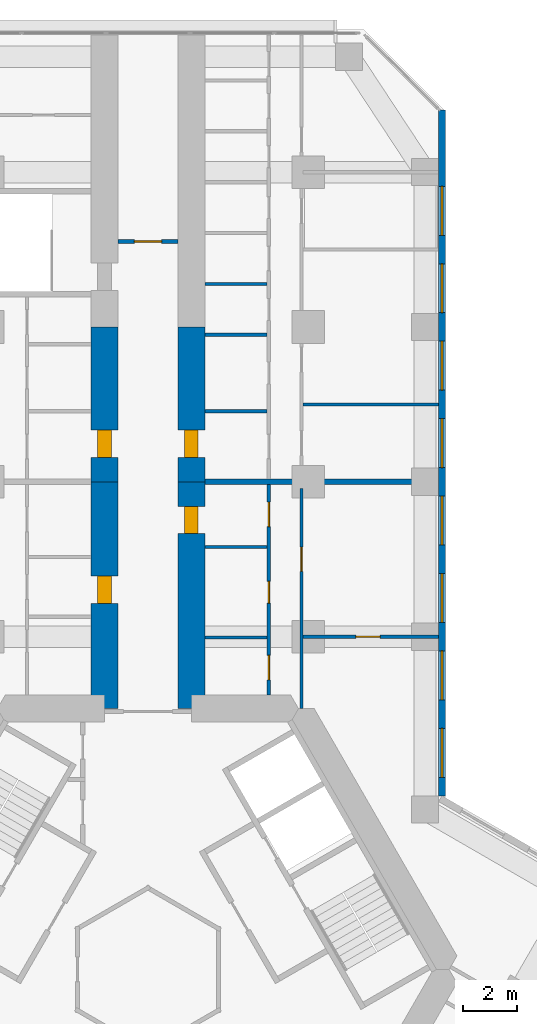
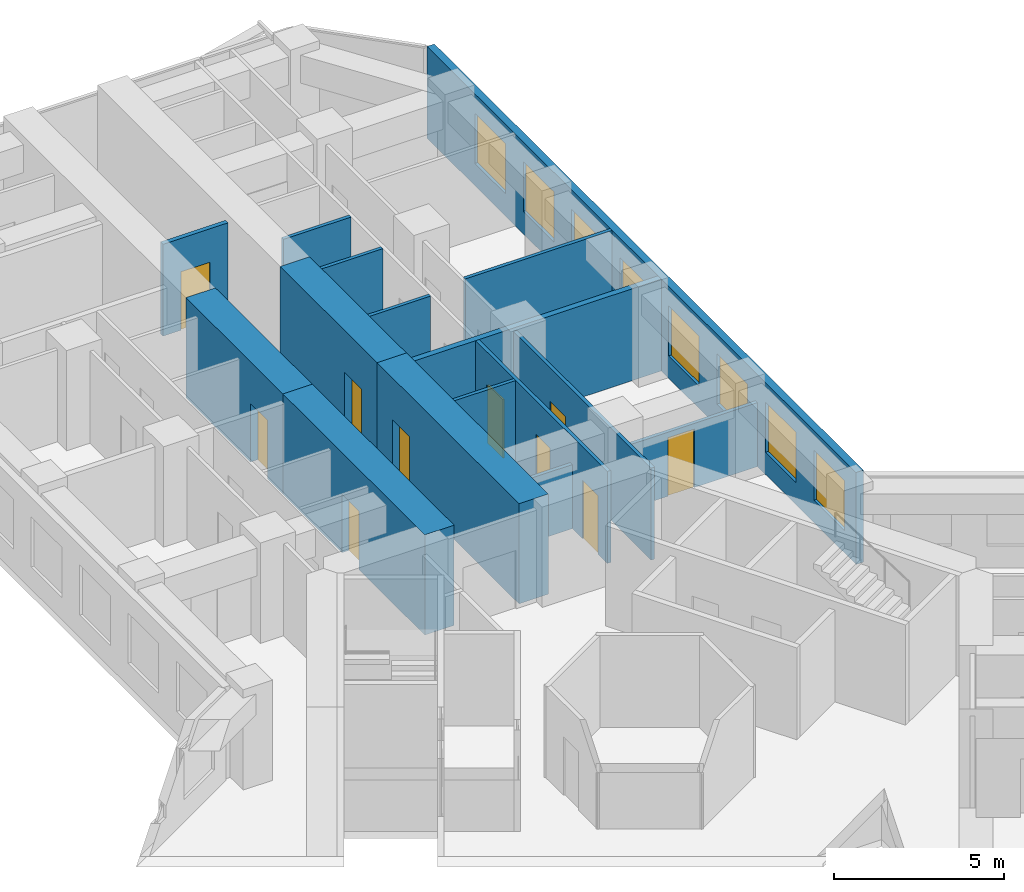
# One storey, part 18 of 21: 16 walls, 10 doors, 8 windows, 18 openings.
"""IFC4 building model written with IfcOpenShell, lengths in metres."""

from ifc_helpers import new_model, si_unit, direction, frame, frame_2d, origin, place, context, subcontext, project, spatial, rectangle, extrude, material, layer, layer_set, type_object, element, fill, save


model = new_model("IFC4")

# Units and contexts
model_context = context("Model", 3, precision=1e-05, world=origin(), true_north=direction((0.0, 1.0)))
body_context = subcontext(model_context, "Body", "Model", "MODEL_VIEW")
ifc_project = project(units=[si_unit("LENGTHUNIT", "METRE"), si_unit("AREAUNIT", "SQUARE_METRE"), si_unit("VOLUMEUNIT", "CUBIC_METRE"), si_unit("PLANEANGLEUNIT", "RADIAN"), si_unit("MASSUNIT", "GRAM", prefix="KILO")], contexts=[model_context])

# Site, building, storey
site_placement = place(None, origin())
site = spatial("IfcSite", under=ifc_project, at=site_placement, CompositionType="ELEMENT")
building_placement = place(site_placement, origin())
building = spatial("IfcBuilding", under=site, at=building_placement, Name="Kosmar Iwan School Tower", CompositionType="ELEMENT")
storey_placement = place(building_placement, frame((0.0, 0.0, 109.60009765625)))
storey = spatial("IfcBuildingStorey", under=building, at=storey_placement, Name="L27", CompositionType="ELEMENT", Elevation=109.60009765625)

# Wall, opening, door
ifc_material_1 = material(Name="Concrete C50/60", Category="concrete")
ifc_layer_1 = layer(ifc_material_1, 1.0)
ifc_layer_set_1 = layer_set([ifc_layer_1], Name="Corridor buttress wall 1000")
wall_type_1 = type_object("IfcWallType", Name="Corridor buttress wall 1000", PredefinedType="SHEAR", material=ifc_layer_set_1)
wall_1_placement = place(storey_placement, frame((-1.60009765625, 9.60009765625, 0.0), z_axis=(0.0, 0.0, 1.0), x_axis=(0.0, 1.0, 0.0)))
wall_1 = element("IfcWall", 1, at=wall_1_placement, inside=storey, type_object=wall_type_1, Name="Corridor wall AL", PredefinedType="SHEAR", context=body_context, shape_type="SweptSolid", body=[
    extrude(rectangle(XDim=8.349853515625, YDim=1.0, at=frame_2d((4.1748046875, 0.0))), origin(), (0.0, 0.0, 1.0), 3.599853515625),
])
opening_1_placement = place(wall_1_placement, frame((3.8798828125, 0.0, 0.0)))
opening_1 = element("IfcOpeningElement", 2, at=opening_1_placement, cuts=wall_1, Name="Opening D1", PredefinedType="OPENING", context=body_context, shape_type="SweptSolid", body=[
    extrude(rectangle(XDim=1.0, YDim=2.10009765625, at=frame_2d((0.5, 1.050048828125))), frame((0.0, 0.511962890625, 0.0), z_axis=(0.0, -1.0, 0.0), x_axis=(1.0, 0.0, 0.0)), (0.0, 0.0, 1.0), 1.02392578125),
])
ifc_material_2 = material(Name="Timber fire door in steel frame", Category="steel")
door_type_1 = type_object("IfcDoorType", Name="Flat entrance door 1000x2100", OperationType="SINGLE_SWING_LEFT", PredefinedType="DOOR", material=ifc_material_2)
door_1_placement = place(opening_1_placement, origin())
door_1 = element("IfcDoor", 3, at=door_1_placement, inside=storey, type_object=door_type_1, Name="Flat L27-AL1 entrance door", OperationType="SINGLE_SWING_LEFT", OverallHeight=2.10009765625, OverallWidth=1.0, PredefinedType="DOOR", context=body_context, shape_type="SweptSolid", body=[
    extrude(rectangle(XDim=1.0, YDim=2.10009765625, at=frame_2d((0.5, 1.050048828125))), frame((0.0, 0.25, 0.0), z_axis=(0.0, -1.0, 0.0), x_axis=(1.0, 0.0, 0.0)), (0.0, 0.0, 1.0), 0.5),
])
fill(opening_1, door_1)

wall_2_placement = place(storey_placement, frame((-1.60009765625, 17.949951171875, 0.0), z_axis=(0.0, 0.0, 1.0), x_axis=(0.0, 1.0, 0.0)))
wall_2 = element("IfcWall", 4, at=wall_2_placement, inside=storey, type_object=wall_type_1, Name="Corridor wall AL bay 2", PredefinedType="SHEAR", context=body_context, shape_type="SweptSolid", body=[
    extrude(rectangle(XDim=5.699951171875, YDim=1.0, at=frame_2d((2.85009765625, 0.0))), origin(), (0.0, 0.0, 1.0), 3.599853515625),
])
opening_2_placement = place(wall_2_placement, frame((0.89990234375, 0.0, 0.0)))
opening_2 = element("IfcOpeningElement", 5, at=opening_2_placement, cuts=wall_2, Name="Opening D1", PredefinedType="OPENING", context=body_context, shape_type="SweptSolid", body=[
    extrude(rectangle(XDim=1.0, YDim=2.10009765625, at=frame_2d((0.5, 1.050048828125))), frame((0.0, 0.511962890625, 0.0), z_axis=(0.0, -1.0, 0.0), x_axis=(1.0, 0.0, 0.0)), (0.0, 0.0, 1.0), 1.02392578125),
])
door_2_placement = place(opening_2_placement, origin())
door_2 = element("IfcDoor", 6, at=door_2_placement, inside=storey, type_object=door_type_1, Name="Flat L27-AL2 entrance door", OperationType="SINGLE_SWING_RIGHT", OverallHeight=2.10009765625, OverallWidth=1.0, PredefinedType="DOOR", context=body_context, shape_type="SweptSolid", body=[
    extrude(rectangle(XDim=1.0, YDim=2.10009765625, at=frame_2d((0.5, 1.050048828125))), frame((0.0, 0.25, 0.0), z_axis=(0.0, -1.0, 0.0), x_axis=(1.0, 0.0, 0.0)), (0.0, 0.0, 1.0), 0.5),
])
fill(opening_2, door_2)

wall_3_placement = place(storey_placement, frame((1.60009765625, 9.60009765625, 0.0), z_axis=(0.0, 0.0, 1.0), x_axis=(0.0, 1.0, 0.0)))
wall_3 = element("IfcWall", 7, at=wall_3_placement, inside=storey, type_object=wall_type_1, Name="Corridor wall AR", PredefinedType="SHEAR", context=body_context, shape_type="SweptSolid", body=[
    extrude(rectangle(XDim=8.349853515625, YDim=1.0, at=frame_2d((4.1748046875, 0.0))), origin(), (0.0, 0.0, 1.0), 3.599853515625),
])
opening_3_placement = place(wall_3_placement, frame((6.449951171875, 0.0, 0.0)))
opening_3 = element("IfcOpeningElement", 8, at=opening_3_placement, cuts=wall_3, Name="Opening D1", PredefinedType="OPENING", context=body_context, shape_type="SweptSolid", body=[
    extrude(rectangle(XDim=1.0, YDim=2.10009765625, at=frame_2d((0.5, 1.050048828125))), frame((0.0, 0.511962890625, 0.0), z_axis=(0.0, -1.0, 0.0), x_axis=(1.0, 0.0, 0.0)), (0.0, 0.0, 1.0), 1.02392578125),
])
door_3_placement = place(opening_3_placement, origin())
door_3 = element("IfcDoor", 9, at=door_3_placement, inside=storey, type_object=door_type_1, Name="Flat L27-AR1 entrance door", OperationType="SINGLE_SWING_RIGHT", OverallHeight=2.10009765625, OverallWidth=1.0, PredefinedType="DOOR", context=body_context, shape_type="SweptSolid", body=[
    extrude(rectangle(XDim=1.0, YDim=2.10009765625, at=frame_2d((0.5, 1.050048828125))), frame((0.0, 0.25, 0.0), z_axis=(0.0, -1.0, 0.0), x_axis=(1.0, 0.0, 0.0)), (0.0, 0.0, 1.0), 0.5),
])
fill(opening_3, door_3)

wall_4_placement = place(storey_placement, frame((1.60009765625, 17.949951171875, 0.0), z_axis=(0.0, 0.0, 1.0), x_axis=(0.0, 1.0, 0.0)))
wall_4 = element("IfcWall", 10, at=wall_4_placement, inside=storey, type_object=wall_type_1, Name="Corridor wall AR bay 2", PredefinedType="SHEAR", context=body_context, shape_type="SweptSolid", body=[
    extrude(rectangle(XDim=5.699951171875, YDim=1.0, at=frame_2d((2.85009765625, 0.0))), origin(), (0.0, 0.0, 1.0), 3.599853515625),
])
opening_4_placement = place(wall_4_placement, frame((0.89990234375, 0.0, 0.0)))
opening_4 = element("IfcOpeningElement", 11, at=opening_4_placement, cuts=wall_4, Name="Opening D1", PredefinedType="OPENING", context=body_context, shape_type="SweptSolid", body=[
    extrude(rectangle(XDim=1.0, YDim=2.10009765625, at=frame_2d((0.5, 1.050048828125))), frame((0.0, 0.511962890625, 0.0), z_axis=(0.0, -1.0, 0.0), x_axis=(1.0, 0.0, 0.0)), (0.0, 0.0, 1.0), 1.02392578125),
])
door_4_placement = place(opening_4_placement, origin())
door_4 = element("IfcDoor", 12, at=door_4_placement, inside=storey, type_object=door_type_1, Name="Flat L27-AR2 entrance door", OperationType="SINGLE_SWING_LEFT", OverallHeight=2.10009765625, OverallWidth=1.0, PredefinedType="DOOR", context=body_context, shape_type="SweptSolid", body=[
    extrude(rectangle(XDim=1.0, YDim=2.10009765625, at=frame_2d((0.5, 1.050048828125))), frame((0.0, 0.25, 0.0), z_axis=(0.0, -1.0, 0.0), x_axis=(1.0, 0.0, 0.0)), (0.0, 0.0, 1.0), 0.5),
])
fill(opening_4, door_4)

ifc_material_3 = material(Name="Gypsum board on steel studs, fire-rated", Category="steel")
ifc_layer_2 = layer(ifc_material_3, 0.14990234375)
ifc_layer_set_2 = layer_set([ifc_layer_2], Name="Corridor end wall 150")
wall_type_2 = type_object("IfcWallType", Name="Corridor end wall 150", PredefinedType="PARTITIONING", material=ifc_layer_set_2)
wall_5_placement = place(storey_placement, frame((1.10009765625, 26.800048828125, 0.0), z_axis=(0.0, 0.0, 1.0), x_axis=(-1.0, 0.0, 0.0)))
wall_5 = element("IfcWall", 13, at=wall_5_placement, inside=storey, type_object=wall_type_2, Name="Partition L27-A-CE", PredefinedType="PARTITIONING", context=body_context, shape_type="SweptSolid", body=[
    extrude(rectangle(XDim=2.2001953125, YDim=0.14990234375, at=frame_2d((1.10009765625, 0.0))), origin(), (0.0, 0.0, 1.0), 3.2998046875),
])
opening_5_placement = place(wall_5_placement, frame((0.60009765625, 0.0, 0.0)))
opening_5 = element("IfcOpeningElement", 14, at=opening_5_placement, cuts=wall_5, Name="Opening D13", PredefinedType="OPENING", context=body_context, shape_type="SweptSolid", body=[
    extrude(rectangle(XDim=1.0, YDim=2.10009765625, at=frame_2d((0.5, 1.050048828125))), frame((0.0, 0.0869140625, 0.0), z_axis=(0.0, -1.0, 0.0), x_axis=(1.0, 0.0, 0.0)), (0.0, 0.0, 1.0), 0.173828125),
])
ifc_material_4 = material(Name="Timber fire door with vision panel", Category="wood")
door_type_2 = type_object("IfcDoorType", Name="Corridor end door 1000x2100", OperationType="SINGLE_SWING_LEFT", PredefinedType="DOOR", material=ifc_material_4)
door_5_placement = place(opening_5_placement, origin())
door_5 = element("IfcDoor", 15, at=door_5_placement, inside=storey, type_object=door_type_2, Name="Laundry and drying room door L27-A", OperationType="SINGLE_SWING_LEFT", OverallHeight=2.10009765625, OverallWidth=1.0, PredefinedType="DOOR", context=body_context, shape_type="SweptSolid", body=[
    extrude(rectangle(XDim=1.0, YDim=2.10009765625, at=frame_2d((0.5, 1.050048828125))), frame((0.0, 0.02490234375, 0.0), z_axis=(0.0, -1.0, 0.0), x_axis=(1.0, 0.0, 0.0)), (0.0, 0.0, 1.0), 0.050048828125),
])
fill(opening_5, door_5)

# Wall, openings, doors
ifc_material_5 = material(Name="Gypsum board on steel studs", Category="steel")
ifc_layer_3 = layer(ifc_material_5, 0.1201171875)
ifc_layer_set_3 = layer_set([ifc_layer_3], Name="Dwelling partition 120")
wall_type_3 = type_object("IfcWallType", Name="Dwelling partition 120", PredefinedType="PARTITIONING", material=ifc_layer_set_3)
wall_6_placement = place(storey_placement, frame((4.449951171875, 10.10009765625, 0.0), z_axis=(0.0, 0.0, 1.0), x_axis=(0.0, 1.0, 0.0)))
wall_6 = element("IfcWall", 16, at=wall_6_placement, inside=storey, type_object=wall_type_3, Name="Partition L27-AR1-W1", PredefinedType="PARTITIONING", context=body_context, shape_type="SweptSolid", body=[
    extrude(rectangle(XDim=7.75, YDim=0.1201171875, at=frame_2d((3.875, 0.0))), origin(), (0.0, 0.0, 1.0), 3.2998046875),
])
opening_6_placement = place(wall_6_placement, frame((0.56005859375, 0.0, 0.0)))
opening_6 = element("IfcOpeningElement", 17, at=opening_6_placement, cuts=wall_6, Name="Opening D2", PredefinedType="OPENING", context=body_context, shape_type="SweptSolid", body=[
    extrude(rectangle(XDim=0.89990234375, YDim=2.10009765625, at=frame_2d((0.449951171875, 1.050048828125))), frame((0.0, 0.072021484375, 0.0), z_axis=(0.0, -1.0, 0.0), x_axis=(1.0, 0.0, 0.0)), (0.0, 0.0, 1.0), 0.14404296875),
])
opening_7_placement = place(wall_6_placement, frame((3.385009765625, 0.0, 0.0)))
opening_7 = element("IfcOpeningElement", 18, at=opening_7_placement, cuts=wall_6, Name="Opening D3", PredefinedType="OPENING", context=body_context, shape_type="SweptSolid", body=[
    extrude(rectangle(XDim=0.800048828125, YDim=2.10009765625, at=frame_2d((0.39990234375, 1.050048828125))), frame((0.0, 0.072021484375, 0.0), z_axis=(0.0, -1.0, 0.0), x_axis=(1.0, 0.0, 0.0)), (0.0, 0.0, 1.0), 0.14404296875),
])
opening_8_placement = place(wall_6_placement, frame((6.199951171875, 0.0, 0.0)))
opening_8 = element("IfcOpeningElement", 19, at=opening_8_placement, cuts=wall_6, Name="Opening D2", PredefinedType="OPENING", context=body_context, shape_type="SweptSolid", body=[
    extrude(rectangle(XDim=0.89990234375, YDim=2.10009765625, at=frame_2d((0.449951171875, 1.050048828125))), frame((0.0, 0.072021484375, 0.0), z_axis=(0.0, -1.0, 0.0), x_axis=(1.0, 0.0, 0.0)), (0.0, 0.0, 1.0), 0.14404296875),
])
ifc_material_6 = material(Name="Timber door in timber frame", Category="wood")
door_type_3 = type_object("IfcDoorType", Name="Internal door 900x2100", OperationType="SINGLE_SWING_LEFT", PredefinedType="DOOR", material=ifc_material_6)
door_6_placement = place(opening_6_placement, origin())
door_6 = element("IfcDoor", 20, at=door_6_placement, inside=storey, type_object=door_type_3, Name="Pantry door L27-AR1-S1", OperationType="SINGLE_SWING_LEFT", OverallHeight=2.10009765625, OverallWidth=0.89990234375, PredefinedType="DOOR", context=body_context, shape_type="SweptSolid", body=[
    extrude(rectangle(XDim=0.89990234375, YDim=2.10009765625, at=frame_2d((0.449951171875, 1.050048828125))), frame((0.0, 0.02490234375, 0.0), z_axis=(0.0, -1.0, 0.0), x_axis=(1.0, 0.0, 0.0)), (0.0, 0.0, 1.0), 0.050048828125),
])
fill(opening_6, door_6)
door_7_placement = place(opening_8_placement, origin())
door_7 = element("IfcDoor", 21, at=door_7_placement, inside=storey, type_object=door_type_3, Name="Entrance hall door L27-AR1-S3", OperationType="SINGLE_SWING_RIGHT", OverallHeight=2.10009765625, OverallWidth=0.89990234375, PredefinedType="DOOR", context=body_context, shape_type="SweptSolid", body=[
    extrude(rectangle(XDim=0.89990234375, YDim=2.10009765625, at=frame_2d((0.449951171875, 1.050048828125))), frame((0.0, 0.02490234375, 0.0), z_axis=(0.0, -1.0, 0.0), x_axis=(1.0, 0.0, 0.0)), (0.0, 0.0, 1.0), 0.050048828125),
])
fill(opening_8, door_7)
ifc_material_7 = material(Name="Timber door in timber frame", Category="wood")
door_type_4 = type_object("IfcDoorType", Name="Sanitary room door 800x2100", OperationType="SINGLE_SWING_LEFT", PredefinedType="DOOR", material=ifc_material_7)
door_8_placement = place(opening_7_placement, origin())
door_8 = element("IfcDoor", 22, at=door_8_placement, inside=storey, type_object=door_type_4, Name="Bathroom door L27-AR1-S2", OperationType="SINGLE_SWING_RIGHT", OverallHeight=2.10009765625, OverallWidth=0.800048828125, PredefinedType="DOOR", context=body_context, shape_type="SweptSolid", body=[
    extrude(rectangle(XDim=0.800048828125, YDim=2.10009765625, at=frame_2d((0.39990234375, 1.050048828125))), frame((0.0, 0.02490234375, 0.0), z_axis=(0.0, -1.0, 0.0), x_axis=(1.0, 0.0, 0.0)), (0.0, 0.0, 1.0), 0.050048828125),
])
fill(opening_7, door_8)

# Wall, opening, door
wall_7_placement = place(storey_placement, frame((5.64990234375, 9.60009765625, 0.0), z_axis=(0.0, 0.0, 1.0), x_axis=(0.0, 1.0, 0.0)))
wall_7 = element("IfcWall", 23, at=wall_7_placement, inside=storey, type_object=wall_type_3, Name="Partition L27-AR1-W2", PredefinedType="PARTITIONING", context=body_context, shape_type="SweptSolid", body=[
    extrude(rectangle(XDim=8.099853515625, YDim=0.1201171875, at=frame_2d((4.0498046875, 0.0))), origin(), (0.0, 0.0, 1.0), 3.2998046875),
])
opening_9_placement = place(wall_7_placement, frame((5.050048828125, 0.0, 0.0)))
opening_9 = element("IfcOpeningElement", 24, at=opening_9_placement, cuts=wall_7, Name="Opening D2", PredefinedType="OPENING", context=body_context, shape_type="SweptSolid", body=[
    extrude(rectangle(XDim=0.89990234375, YDim=2.10009765625, at=frame_2d((0.449951171875, 1.050048828125))), frame((0.0, 0.072021484375, 0.0), z_axis=(0.0, -1.0, 0.0), x_axis=(1.0, 0.0, 0.0)), (0.0, 0.0, 1.0), 0.14404296875),
])
door_9_placement = place(opening_9_placement, origin())
door_9 = element("IfcDoor", 25, at=door_9_placement, inside=storey, type_object=door_type_3, Name="Studio living room door L27-AR1-F2", OperationType="SINGLE_SWING_RIGHT", OverallHeight=2.10009765625, OverallWidth=0.89990234375, PredefinedType="DOOR", context=body_context, shape_type="SweptSolid", body=[
    extrude(rectangle(XDim=0.89990234375, YDim=2.10009765625, at=frame_2d((0.449951171875, 1.050048828125))), frame((0.0, 0.02490234375, 0.0), z_axis=(0.0, -1.0, 0.0), x_axis=(1.0, 0.0, 0.0)), (0.0, 0.0, 1.0), 0.050048828125),
])
fill(opening_9, door_9)

wall_8_placement = place(storey_placement, frame((5.7099609375, 12.25, 0.0), z_axis=(0.0, 0.0, 1.0), x_axis=(1.0, 0.0, 0.0)))
wall_8 = element("IfcWall", 26, at=wall_8_placement, inside=storey, type_object=wall_type_3, Name="Partition L27-AR1-X1", PredefinedType="PARTITIONING", context=body_context, shape_type="SweptSolid", body=[
    extrude(rectangle(XDim=4.989990234375, YDim=0.1201171875, at=frame_2d((2.4951171875, 0.0))), origin(), (0.0, 0.0, 1.0), 2.2998046875),
])
opening_10_placement = place(wall_8_placement, frame((1.93994140625, 0.0, 0.0)))
opening_10 = element("IfcOpeningElement", 27, at=opening_10_placement, cuts=wall_8, Name="Opening D2", PredefinedType="OPENING", context=body_context, shape_type="SweptSolid", body=[
    extrude(rectangle(XDim=0.89990234375, YDim=2.10009765625, at=frame_2d((0.449951171875, 1.050048828125))), frame((0.0, 0.072021484375, 0.0), z_axis=(0.0, -1.0, 0.0), x_axis=(1.0, 0.0, 0.0)), (0.0, 0.0, 1.0), 0.14404296875),
])
door_10_placement = place(opening_10_placement, origin())
door_10 = element("IfcDoor", 28, at=door_10_placement, inside=storey, type_object=door_type_3, Name="Kitchen and dining room door L27-AR1-F1", OperationType="SINGLE_SWING_LEFT", OverallHeight=2.10009765625, OverallWidth=0.89990234375, PredefinedType="DOOR", context=body_context, shape_type="SweptSolid", body=[
    extrude(rectangle(XDim=0.89990234375, YDim=2.10009765625, at=frame_2d((0.449951171875, 1.050048828125))), frame((0.0, 0.02490234375, 0.0), z_axis=(0.0, -1.0, 0.0), x_axis=(1.0, 0.0, 0.0)), (0.0, 0.0, 1.0), 0.050048828125),
])
fill(opening_10, door_10)

# Walls
wall_9_placement = place(storey_placement, frame((2.10009765625, 12.219970703125, 0.0), z_axis=(0.0, 0.0, 1.0), x_axis=(1.0, 0.0, 0.0)))
element("IfcWall", 29, at=wall_9_placement, inside=storey, type_object=wall_type_3, Name="Partition L27-AR1-Y1", PredefinedType="PARTITIONING", context=body_context, shape_type="SweptSolid", body=[
    extrude(rectangle(XDim=2.289794921875, YDim=0.1201171875, at=frame_2d((1.14501953125, 0.0))), origin(), (0.0, 0.0, 1.0), 2.2998046875),
])
wall_10_placement = place(storey_placement, frame((2.10009765625, 15.550048828125, 0.0), z_axis=(0.0, 0.0, 1.0), x_axis=(1.0, 0.0, 0.0)))
element("IfcWall", 30, at=wall_10_placement, inside=storey, type_object=wall_type_3, Name="Partition L27-AR1-Y2", PredefinedType="PARTITIONING", context=body_context, shape_type="SweptSolid", body=[
    extrude(rectangle(XDim=2.289794921875, YDim=0.1201171875, at=frame_2d((1.14501953125, 0.0))), origin(), (0.0, 0.0, 1.0), 3.2998046875),
])
wall_11_placement = place(storey_placement, frame((5.7099609375, 20.800048828125, 0.0), z_axis=(0.0, 0.0, 1.0), x_axis=(1.0, 0.0, 0.0)))
element("IfcWall", 31, at=wall_11_placement, inside=storey, type_object=wall_type_3, Name="Partition L27-AR2-X1", PredefinedType="PARTITIONING", context=body_context, shape_type="SweptSolid", body=[
    extrude(rectangle(XDim=4.989990234375, YDim=0.1201171875, at=frame_2d((2.4951171875, 0.0))), origin(), (0.0, 0.0, 1.0), 3.2998046875),
])
for number, where, z_axis, x_axis, name in (
    (32, (2.10009765625, 20.550048828125, 0.0), (0.0, 0.0, 1.0), (1.0, 0.0, 0.0), "Partition L27-AR2-Y1"),
    (33, (2.10009765625, 23.360107421875, 0.0), (0.0, 0.0, 1.0), (1.0, 0.0, 0.0), "Partition L27-AR2-Y2"),
    (34, (2.10009765625, 25.2333984375, 0.0), (0.0, 0.0, 1.0), (1.0, 0.0, 0.0), "Partition L27-AR2-Y3"),
):
    element("IfcWall", number, at=place(storey_placement, frame(where, z_axis=z_axis, x_axis=x_axis)), inside=storey, type_object=wall_type_3, Name=name, PredefinedType="PARTITIONING", context=body_context, shape_type="SweptSolid", body=[
        extrude(rectangle(XDim=2.289794921875, YDim=0.1201171875, at=frame_2d((1.14501953125, 0.0))), origin(), (0.0, 0.0, 1.0), 3.2998046875),
    ])

# Wall, openings, windows
ifc_material_8 = material(Name="Black aluminium rainscreen on insulated framing", Category="aluminium")
ifc_layer_4 = layer(ifc_material_8, 0.25)
ifc_layer_set_4 = layer_set([ifc_layer_4], Name="External wall rainscreen 250")
wall_type_4 = type_object("IfcWallType", Name="External wall rainscreen 250", PredefinedType="SOLIDWALL", material=ifc_layer_set_4)
wall_12_placement = place(storey_placement, frame((10.824951171875, 6.39404296875, 0.0), z_axis=(0.0, 0.0, 1.0), x_axis=(0.0, 1.0, 0.0)))
wall_12 = element("IfcWall", 35, at=wall_12_placement, inside=storey, type_object=wall_type_4, Name="External wall AR L27", PredefinedType="SOLIDWALL", context=body_context, shape_type="SweptSolid", body=[
    extrude(rectangle(XDim=25.2412109375, YDim=0.25, at=frame_2d((12.62060546875, 0.0))), origin(), (0.0, 0.0, 1.0), 3.2998046875),
])
opening_11_placement = place(wall_12_placement, frame((0.680908203125, 0.0, 0.800048828125)))
opening_11 = element("IfcOpeningElement", 36, at=opening_11_placement, cuts=wall_12, Name="Opening W1", PredefinedType="OPENING", context=body_context, shape_type="SweptSolid", body=[
    extrude(rectangle(XDim=1.800048828125, YDim=1.800048828125, at=frame_2d((0.89990234375, 0.89990234375))), frame((0.0, 0.136962890625, 0.0), z_axis=(0.0, -1.0, 0.0), x_axis=(1.0, 0.0, 0.0)), (0.0, 0.0, 1.0), 0.27392578125),
])
opening_12_placement = place(wall_12_placement, frame((3.53076171875, 0.0, 0.800048828125)))
opening_12 = element("IfcOpeningElement", 37, at=opening_12_placement, cuts=wall_12, Name="Opening W1", PredefinedType="OPENING", context=body_context, shape_type="SweptSolid", body=[
    extrude(rectangle(XDim=1.800048828125, YDim=1.800048828125, at=frame_2d((0.89990234375, 0.89990234375))), frame((0.0, 0.136962890625, 0.0), z_axis=(0.0, -1.0, 0.0), x_axis=(1.0, 0.0, 0.0)), (0.0, 0.0, 1.0), 0.27392578125),
])
opening_13_placement = place(wall_12_placement, frame((6.380859375, 0.0, 0.800048828125)))
opening_13 = element("IfcOpeningElement", 38, at=opening_13_placement, cuts=wall_12, Name="Opening W1", PredefinedType="OPENING", context=body_context, shape_type="SweptSolid", body=[
    extrude(rectangle(XDim=1.800048828125, YDim=1.800048828125, at=frame_2d((0.89990234375, 0.89990234375))), frame((0.0, 0.136962890625, 0.0), z_axis=(0.0, -1.0, 0.0), x_axis=(1.0, 0.0, 0.0)), (0.0, 0.0, 1.0), 0.27392578125),
])
opening_14_placement = place(wall_12_placement, frame((9.23095703125, 0.0, 0.800048828125)))
opening_14 = element("IfcOpeningElement", 39, at=opening_14_placement, cuts=wall_12, Name="Opening W1", PredefinedType="OPENING", context=body_context, shape_type="SweptSolid", body=[
    extrude(rectangle(XDim=1.800048828125, YDim=1.800048828125, at=frame_2d((0.89990234375, 0.89990234375))), frame((0.0, 0.136962890625, 0.0), z_axis=(0.0, -1.0, 0.0), x_axis=(1.0, 0.0, 0.0)), (0.0, 0.0, 1.0), 0.27392578125),
])
opening_15_placement = place(wall_12_placement, frame((12.080810546875, 0.0, 0.800048828125)))
opening_15 = element("IfcOpeningElement", 40, at=opening_15_placement, cuts=wall_12, Name="Opening W1", PredefinedType="OPENING", context=body_context, shape_type="SweptSolid", body=[
    extrude(rectangle(XDim=1.800048828125, YDim=1.800048828125, at=frame_2d((0.89990234375, 0.89990234375))), frame((0.0, 0.136962890625, 0.0), z_axis=(0.0, -1.0, 0.0), x_axis=(1.0, 0.0, 0.0)), (0.0, 0.0, 1.0), 0.27392578125),
])
opening_16_placement = place(wall_12_placement, frame((14.930908203125, 0.0, 0.800048828125)))
opening_16 = element("IfcOpeningElement", 41, at=opening_16_placement, cuts=wall_12, Name="Opening W1", PredefinedType="OPENING", context=body_context, shape_type="SweptSolid", body=[
    extrude(rectangle(XDim=1.800048828125, YDim=1.800048828125, at=frame_2d((0.89990234375, 0.89990234375))), frame((0.0, 0.136962890625, 0.0), z_axis=(0.0, -1.0, 0.0), x_axis=(1.0, 0.0, 0.0)), (0.0, 0.0, 1.0), 0.27392578125),
])
opening_17_placement = place(wall_12_placement, frame((17.78076171875, 0.0, 0.800048828125)))
opening_17 = element("IfcOpeningElement", 42, at=opening_17_placement, cuts=wall_12, Name="Opening W1", PredefinedType="OPENING", context=body_context, shape_type="SweptSolid", body=[
    extrude(rectangle(XDim=1.800048828125, YDim=1.800048828125, at=frame_2d((0.89990234375, 0.89990234375))), frame((0.0, 0.136962890625, 0.0), z_axis=(0.0, -1.0, 0.0), x_axis=(1.0, 0.0, 0.0)), (0.0, 0.0, 1.0), 0.27392578125),
])
opening_18_placement = place(wall_12_placement, frame((20.630859375, 0.0, 0.800048828125)))
opening_18 = element("IfcOpeningElement", 43, at=opening_18_placement, cuts=wall_12, Name="Opening W1", PredefinedType="OPENING", context=body_context, shape_type="SweptSolid", body=[
    extrude(rectangle(XDim=1.800048828125, YDim=1.800048828125, at=frame_2d((0.89990234375, 0.89990234375))), frame((0.0, 0.136962890625, 0.0), z_axis=(0.0, -1.0, 0.0), x_axis=(1.0, 0.0, 0.0)), (0.0, 0.0, 1.0), 0.27392578125),
])
ifc_material_9 = material(Name="Black aluminium frame with dark triple glazing", Category="aluminium")
window_type = type_object("IfcWindowType", Name="Window 1800x1800", PartitioningType="SINGLE_PANEL", PredefinedType="WINDOW", material=ifc_material_9)
window_1_placement = place(opening_11_placement, origin())
window_1 = element("IfcWindow", 44, at=window_1_placement, inside=storey, type_object=window_type, Name="Window AR L27 -1", OverallHeight=1.800048828125, OverallWidth=1.800048828125, PartitioningType="SINGLE_PANEL", PredefinedType="WINDOW", context=body_context, shape_type="SweptSolid", body=[
    extrude(rectangle(XDim=1.800048828125, YDim=1.800048828125, at=frame_2d((0.89990234375, 0.89990234375))), frame((0.0, 0.030029296875, 0.0), z_axis=(0.0, -1.0, 0.0), x_axis=(1.0, 0.0, 0.0)), (0.0, 0.0, 1.0), 0.06005859375),
])
fill(opening_11, window_1)
window_2_placement = place(opening_12_placement, origin())
window_2 = element("IfcWindow", 45, at=window_2_placement, inside=storey, type_object=window_type, Name="Window AR L27 0", OverallHeight=1.800048828125, OverallWidth=1.800048828125, PartitioningType="SINGLE_PANEL", PredefinedType="WINDOW", context=body_context, shape_type="SweptSolid", body=[
    extrude(rectangle(XDim=1.800048828125, YDim=1.800048828125, at=frame_2d((0.89990234375, 0.89990234375))), frame((0.0, 0.030029296875, 0.0), z_axis=(0.0, -1.0, 0.0), x_axis=(1.0, 0.0, 0.0)), (0.0, 0.0, 1.0), 0.06005859375),
])
fill(opening_12, window_2)
window_3_placement = place(opening_13_placement, origin())
window_3 = element("IfcWindow", 46, at=window_3_placement, inside=storey, type_object=window_type, Name="Window AR L27 1", OverallHeight=1.800048828125, OverallWidth=1.800048828125, PartitioningType="SINGLE_PANEL", PredefinedType="WINDOW", context=body_context, shape_type="SweptSolid", body=[
    extrude(rectangle(XDim=1.800048828125, YDim=1.800048828125, at=frame_2d((0.89990234375, 0.89990234375))), frame((0.0, 0.030029296875, 0.0), z_axis=(0.0, -1.0, 0.0), x_axis=(1.0, 0.0, 0.0)), (0.0, 0.0, 1.0), 0.06005859375),
])
fill(opening_13, window_3)
window_4_placement = place(opening_14_placement, origin())
window_4 = element("IfcWindow", 47, at=window_4_placement, inside=storey, type_object=window_type, Name="Window AR L27 2", OverallHeight=1.800048828125, OverallWidth=1.800048828125, PartitioningType="SINGLE_PANEL", PredefinedType="WINDOW", context=body_context, shape_type="SweptSolid", body=[
    extrude(rectangle(XDim=1.800048828125, YDim=1.800048828125, at=frame_2d((0.89990234375, 0.89990234375))), frame((0.0, 0.030029296875, 0.0), z_axis=(0.0, -1.0, 0.0), x_axis=(1.0, 0.0, 0.0)), (0.0, 0.0, 1.0), 0.06005859375),
])
fill(opening_14, window_4)
window_5_placement = place(opening_15_placement, origin())
window_5 = element("IfcWindow", 48, at=window_5_placement, inside=storey, type_object=window_type, Name="Window AR L27 3", OverallHeight=1.800048828125, OverallWidth=1.800048828125, PartitioningType="SINGLE_PANEL", PredefinedType="WINDOW", context=body_context, shape_type="SweptSolid", body=[
    extrude(rectangle(XDim=1.800048828125, YDim=1.800048828125, at=frame_2d((0.89990234375, 0.89990234375))), frame((0.0, 0.030029296875, 0.0), z_axis=(0.0, -1.0, 0.0), x_axis=(1.0, 0.0, 0.0)), (0.0, 0.0, 1.0), 0.06005859375),
])
fill(opening_15, window_5)
window_6_placement = place(opening_16_placement, origin())
window_6 = element("IfcWindow", 49, at=window_6_placement, inside=storey, type_object=window_type, Name="Window AR L27 4", OverallHeight=1.800048828125, OverallWidth=1.800048828125, PartitioningType="SINGLE_PANEL", PredefinedType="WINDOW", context=body_context, shape_type="SweptSolid", body=[
    extrude(rectangle(XDim=1.800048828125, YDim=1.800048828125, at=frame_2d((0.89990234375, 0.89990234375))), frame((0.0, 0.030029296875, 0.0), z_axis=(0.0, -1.0, 0.0), x_axis=(1.0, 0.0, 0.0)), (0.0, 0.0, 1.0), 0.06005859375),
])
fill(opening_16, window_6)
window_7_placement = place(opening_17_placement, origin())
window_7 = element("IfcWindow", 50, at=window_7_placement, inside=storey, type_object=window_type, Name="Window AR L27 5", OverallHeight=1.800048828125, OverallWidth=1.800048828125, PartitioningType="SINGLE_PANEL", PredefinedType="WINDOW", context=body_context, shape_type="SweptSolid", body=[
    extrude(rectangle(XDim=1.800048828125, YDim=1.800048828125, at=frame_2d((0.89990234375, 0.89990234375))), frame((0.0, 0.030029296875, 0.0), z_axis=(0.0, -1.0, 0.0), x_axis=(1.0, 0.0, 0.0)), (0.0, 0.0, 1.0), 0.06005859375),
])
fill(opening_17, window_7)
window_8_placement = place(opening_18_placement, origin())
window_8 = element("IfcWindow", 51, at=window_8_placement, inside=storey, type_object=window_type, Name="Window AR L27 6", OverallHeight=1.800048828125, OverallWidth=1.800048828125, PartitioningType="SINGLE_PANEL", PredefinedType="WINDOW", context=body_context, shape_type="SweptSolid", body=[
    extrude(rectangle(XDim=1.800048828125, YDim=1.800048828125, at=frame_2d((0.89990234375, 0.89990234375))), frame((0.0, 0.030029296875, 0.0), z_axis=(0.0, -1.0, 0.0), x_axis=(1.0, 0.0, 0.0)), (0.0, 0.0, 1.0), 0.06005859375),
])
fill(opening_18, window_8)

# Wall
ifc_material_10 = material(Name="Concrete block masonry", Category="masonry")
ifc_layer_5 = layer(ifc_material_10, 0.199951171875)
ifc_layer_set_5 = layer_set([ifc_layer_5], Name="Party wall 200")
wall_type_5 = type_object("IfcWallType", Name="Party wall 200", PredefinedType="PARTITIONING", material=ifc_layer_set_5)
wall_13_placement = place(storey_placement, frame((2.10009765625, 17.949951171875, 0.0), z_axis=(0.0, 0.0, 1.0), x_axis=(1.0, 0.0, 0.0)))
element("IfcWall", 52, at=wall_13_placement, inside=storey, type_object=wall_type_5, Name="Partition L27-AR2-PW", PredefinedType="PARTITIONING", context=body_context, shape_type="SweptSolid", body=[
    extrude(rectangle(XDim=8.599853515625, YDim=0.199951171875, at=frame_2d((4.2998046875, 0.0))), origin(), (0.0, 0.0, 1.0), 3.2998046875),
])

save(model, "model.ifc")
